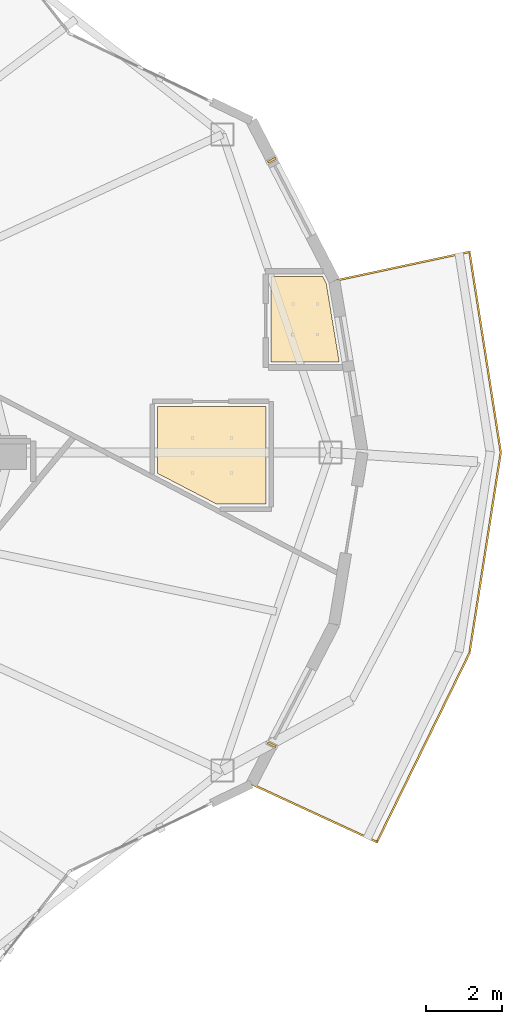
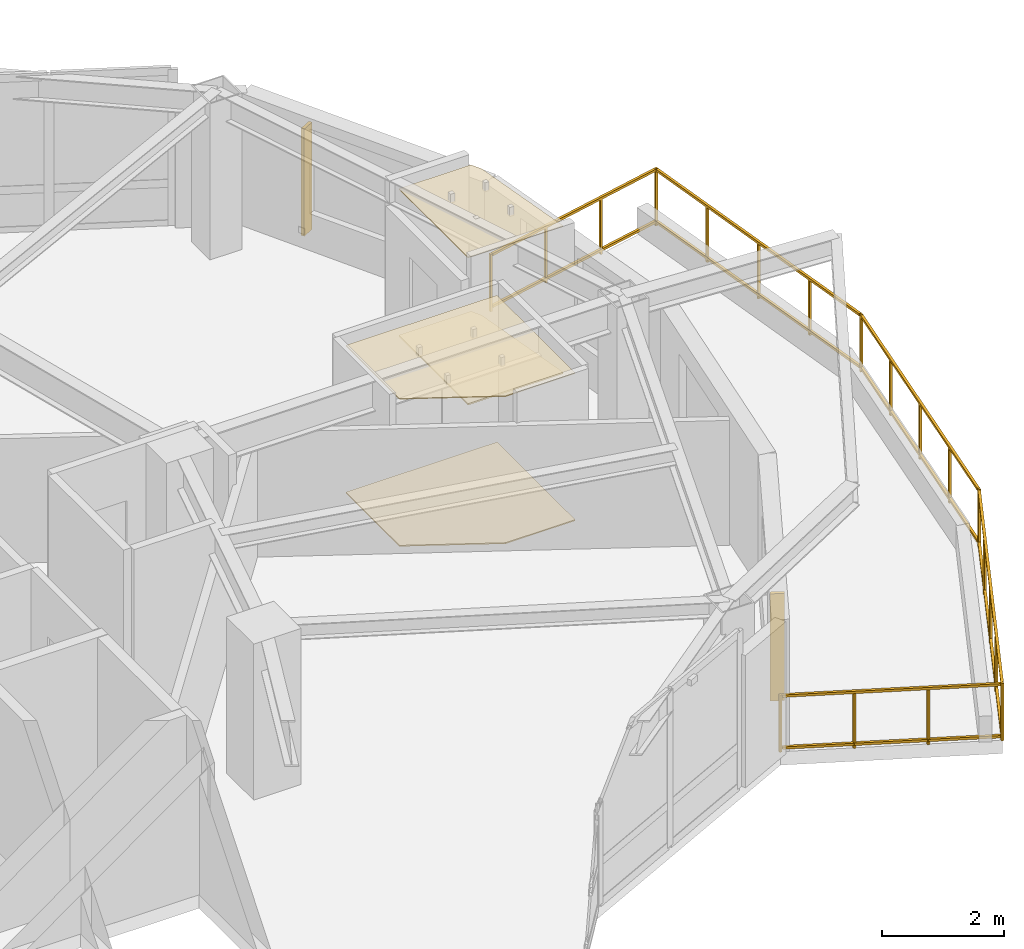
# One storey, part 18 of 19: 4 coverings, 2 shading devices, 1 railing.
"""IFC4 building model written with IfcOpenShell, lengths in metres."""

from ifc_helpers import new_model, si_unit, direction, frame, origin, origin_2d, place, context, subcontext, project, spatial, polyline, rectangle, outline, extrude, material, layer, layer_set, type_object, element, save


model = new_model("IFC4")

# Units and contexts
model_context = context("Model", 3, precision=1e-05, world=origin(), true_north=direction((0.0, 1.0)))
body_context = subcontext(model_context, "Body", "Model", "MODEL_VIEW")
ifc_project = project(units=[si_unit("LENGTHUNIT", "METRE"), si_unit("AREAUNIT", "SQUARE_METRE"), si_unit("VOLUMEUNIT", "CUBIC_METRE"), si_unit("PLANEANGLEUNIT", "RADIAN"), si_unit("MASSUNIT", "GRAM", prefix="KILO")], contexts=[model_context])

# Site, building, storey
site_placement = place(None, origin())
site = spatial("IfcSite", under=ifc_project, at=site_placement, CompositionType="ELEMENT")
building_placement = place(site_placement, origin())
building = spatial("IfcBuilding", under=site, at=building_placement, Name="Kolvaren Gate Tower and Convention Centre", CompositionType="ELEMENT")
storey_placement = place(building_placement, frame((0.0, 0.0, 169.89990234375)))
storey = spatial("IfcBuildingStorey", under=building, at=storey_placement, Name="L44", CompositionType="ELEMENT", Elevation=169.89990234375)

# Coverings
ifc_material_1 = material(Name="Perforated Mineral-Fibre Acoustic Ceiling Tile 18 mm", Category="gypsum")
ifc_layer_1 = layer(ifc_material_1, 0.01806640625)
ifc_layer_set_1 = layer_set([ifc_layer_1], Name="Perforated Mineral-Fibre Acoustic Ceiling Tile 18 mm")
covering_type_1 = type_object("IfcCoveringType", Name="ARCH-COV-CEIL-18", PredefinedType="CEILING", material=ifc_layer_set_1)
covering_1_placement = place(storey_placement, frame((0.0, 0.0, 2.9501953125)))
element("IfcCovering", 1, at=covering_1_placement, inside=storey, type_object=covering_type_1, Name="Suite Principal Bedroom (HTL-L44-05) Acoustic Suspended Ceiling", PredefinedType="CEILING", context=body_context, shape_type="SweptSolid", body=[
    extrude(outline(polyline([(46.639892578125, 28.2099609375), (49.510009765625, 28.2099609375), (49.510009765625, 25.639892578125), (48.18994140625, 25.639892578125), (46.639892578125, 26.446044921875), (46.639892578125, 28.2099609375)])), origin(), (0.0, 0.0, 1.0), 0.017822265625),
])
covering_2_placement = place(storey_placement, frame((0.0, 0.0, 2.9501953125)))
element("IfcCovering", 2, at=covering_2_placement, inside=storey, type_object=covering_type_1, Name="En-suite Bathroom (HTL-L44-05) Acoustic Suspended Ceiling", PredefinedType="CEILING", context=body_context, shape_type="SweptSolid", body=[
    extrude(outline(polyline([(49.639892578125, 29.389892578125), (49.639892578125, 31.659912109375), (51.006103515625, 31.659912109375), (51.10302734375, 31.471923828125), (51.446044921875, 29.389892578125), (49.639892578125, 29.389892578125)])), origin(), (0.0, 0.0, 1.0), 0.017822265625),
])
ifc_material_2 = material(Name="Honed Sabana Limestone Terrazzo Flooring 30 mm", Category="masonry")
ifc_layer_2 = layer(ifc_material_2, 0.030029296875)
ifc_layer_set_2 = layer_set([ifc_layer_2], Name="Honed Sabana Limestone Terrazzo Flooring 30 mm")
covering_type_2 = type_object("IfcCoveringType", Name="ARCH-COV-FLR-30", PredefinedType="FLOORING", material=ifc_layer_set_2)
covering_3_placement = place(storey_placement, origin())
element("IfcCovering", 3, at=covering_3_placement, inside=storey, type_object=covering_type_2, Name="En-suite Bathroom (HTL-L44-05) Interior Finish Flooring", PredefinedType="FLOORING", context=body_context, shape_type="SweptSolid", body=[
    extrude(outline(polyline([(49.639892578125, 29.389892578125), (49.639892578125, 31.659912109375), (51.006103515625, 31.659912109375), (51.10302734375, 31.471923828125), (51.446044921875, 29.389892578125), (49.639892578125, 29.389892578125)])), origin(), (0.0, 0.0, 1.0), 0.030029296875),
])
ifc_material_3 = material(Name="FSC Andean Oak Engineered Parquet Flooring 22 mm", Category="wood")
ifc_layer_3 = layer(ifc_material_3, 0.02197265625)
ifc_layer_set_3 = layer_set([ifc_layer_3], Name="FSC Andean Oak Engineered Parquet Flooring 22 mm")
covering_type_3 = type_object("IfcCoveringType", Name="ARCH-COV-WOOD-22", PredefinedType="FLOORING", material=ifc_layer_set_3)
covering_4_placement = place(storey_placement, origin())
element("IfcCovering", 4, at=covering_4_placement, inside=storey, type_object=covering_type_3, Name="Suite Principal Bedroom (HTL-L44-05) Interior Finish Flooring", PredefinedType="FLOORING", context=body_context, shape_type="SweptSolid", body=[
    extrude(outline(polyline([(46.639892578125, 28.2099609375), (49.510009765625, 28.2099609375), (49.510009765625, 25.639892578125), (48.18994140625, 25.639892578125), (46.639892578125, 26.446044921875), (46.639892578125, 28.2099609375)])), origin(), (0.0, 0.0, 1.0), 0.022216796875),
])

# Railing
ifc_material_4 = material(Name="Brushed Stainless Steel Grade 316L", Category="steel")
railing_type = type_object("IfcRailingType", Name="ARCH-RL-GUARD-1150", PredefinedType="GUARDRAIL", material=ifc_material_4)
railing_placement = place(storey_placement, frame((49.123291015625, 18.22509765625, 0.0)))
element("IfcRailing", 5, at=railing_placement, inside=storey, type_object=railing_type, Name="Tower L44 Terrace Perimeter Guardrail GR-4", PredefinedType="GUARDRAIL", context=body_context, shape_type="SweptSolid", body=[
    extrude(rectangle(XDim=0.048095703125, YDim=0.048095703125, at=origin_2d()), frame((0.025390625, -0.01171875, 1.1259765625), z_axis=(0.907820723829, -0.419358478377, 0.0), x_axis=(0.419358478377, 0.907820723829, 0.0)), (0.0, 0.0, 1.0), 3.60400390625),
    extrude(rectangle(XDim=0.048095703125, YDim=0.048095703125, at=origin_2d()), frame((0.025390625, -0.01171875, 0.083984375), z_axis=(0.907820723829, -0.419358478377, 0.0), x_axis=(0.419358478377, 0.907820723829, 0.0)), (0.0, 0.0, 1.0), 3.60400390625),
    extrude(rectangle(XDim=0.048095703125, YDim=0.048095703125, at=origin_2d()), frame((3.335205078125, -1.509765625, 1.1259765625), z_axis=(0.439655234701, 0.898166618507, 0.0), x_axis=(-0.898166618507, 0.439655234701, 0.0)), (0.0, 0.0, 1.0), 5.51123046875),
    extrude(rectangle(XDim=0.048095703125, YDim=0.048095703125, at=origin_2d()), frame((3.335205078125, -1.509765625, 0.083984375), z_axis=(0.439655234701, 0.898166618507, 0.0), x_axis=(-0.898166618507, 0.439655234701, 0.0)), (0.0, 0.0, 1.0), 5.51123046875),
    extrude(rectangle(XDim=0.048095703125, YDim=0.048095703125, at=origin_2d()), frame((5.77490234375, 3.493408203125, 1.1259765625), z_axis=(0.154200861408, 0.988039520637, 0.0), x_axis=(-0.988039520637, 0.154200861408, 0.0)), (0.0, 0.0, 1.0), 5.3173828125),
    extrude(rectangle(XDim=0.048095703125, YDim=0.048095703125, at=origin_2d()), frame((5.77490234375, 3.493408203125, 0.083984375), z_axis=(0.154200861408, 0.988039520637, 0.0), x_axis=(-0.988039520637, 0.154200861408, 0.0)), (0.0, 0.0, 1.0), 5.3173828125),
    extrude(rectangle(XDim=0.048095703125, YDim=0.048095703125, at=origin_2d()), frame((6.5947265625, 8.802734375, 1.1259765625), z_axis=(-0.154200861408, 0.988039520637, 0.0), x_axis=(-0.988039520637, -0.154200861408, 0.0)), (0.0, 0.0, 1.0), 5.3173828125),
    extrude(rectangle(XDim=0.048095703125, YDim=0.048095703125, at=origin_2d()), frame((6.5947265625, 8.802734375, 0.083984375), z_axis=(-0.154200861408, 0.988039520637, 0.0), x_axis=(-0.988039520637, -0.154200861408, 0.0)), (0.0, 0.0, 1.0), 5.3173828125),
    extrude(rectangle(XDim=0.048095703125, YDim=0.048095703125, at=origin_2d()), frame((5.7431640625, 14.078369140625, 1.1259765625), z_axis=(-0.977791675321, -0.209579196661, 0.0), x_axis=(0.209579196661, -0.977791675321, 0.0)), (0.0, 0.0, 1.0), 3.60400390625),
    extrude(rectangle(XDim=0.048095703125, YDim=0.048095703125, at=origin_2d()), frame((5.7431640625, 14.078369140625, 0.083984375), z_axis=(-0.977791675321, -0.209579196661, 0.0), x_axis=(0.209579196661, -0.977791675321, 0.0)), (0.0, 0.0, 1.0), 3.60400390625),
    extrude(rectangle(XDim=0.0419921875, YDim=0.0419921875, at=origin_2d()), origin(), (0.0, 0.0, 1.0), 1.14990234375),
    extrude(rectangle(XDim=0.0419921875, YDim=0.0419921875, at=origin_2d()), frame((3.32275390625, -1.534912109375, 0.0)), (0.0, 0.0, 1.0), 1.14990234375),
    extrude(rectangle(XDim=0.0419921875, YDim=0.0419921875, at=origin_2d()), frame((1.107666015625, -0.51171875, 0.0)), (0.0, 0.0, 1.0), 1.099853515625),
    extrude(rectangle(XDim=0.0419921875, YDim=0.0419921875, at=origin_2d()), frame((2.215087890625, -1.023193359375, 0.0)), (0.0, 0.0, 1.0), 1.099853515625),
    extrude(rectangle(XDim=0.0419921875, YDim=0.0419921875, at=origin_2d()), frame((5.7705078125, 3.465576171875, 0.0)), (0.0, 0.0, 1.0), 1.14990234375),
    extrude(rectangle(XDim=0.0419921875, YDim=0.0419921875, at=origin_2d()), frame((3.9345703125, -0.28466796875, 0.0)), (0.0, 0.0, 1.0), 1.099853515625),
    extrude(rectangle(XDim=0.0419921875, YDim=0.0419921875, at=origin_2d()), frame((4.546630859375, 0.96533203125, 0.0)), (0.0, 0.0, 1.0), 1.099853515625),
    extrude(rectangle(XDim=0.0419921875, YDim=0.0419921875, at=origin_2d()), frame((5.15869140625, 2.21533203125, 0.0)), (0.0, 0.0, 1.0), 1.099853515625),
    extrude(rectangle(XDim=0.0419921875, YDim=0.0419921875, at=origin_2d()), frame((6.59912109375, 8.77490234375, 0.0)), (0.0, 0.0, 1.0), 1.14990234375),
    extrude(rectangle(XDim=0.0419921875, YDim=0.0419921875, at=origin_2d()), frame((5.9775390625, 4.79296875, 0.0)), (0.0, 0.0, 1.0), 1.099853515625),
    extrude(rectangle(XDim=0.0419921875, YDim=0.0419921875, at=origin_2d()), frame((6.184814453125, 6.1201171875, 0.0)), (0.0, 0.0, 1.0), 1.099853515625),
    extrude(rectangle(XDim=0.0419921875, YDim=0.0419921875, at=origin_2d()), frame((6.39208984375, 7.447509765625, 0.0)), (0.0, 0.0, 1.0), 1.099853515625),
    extrude(rectangle(XDim=0.0419921875, YDim=0.0419921875, at=origin_2d()), frame((5.7705078125, 14.084228515625, 0.0)), (0.0, 0.0, 1.0), 1.14990234375),
    extrude(rectangle(XDim=0.0419921875, YDim=0.0419921875, at=origin_2d()), frame((6.39208984375, 10.102294921875, 0.0)), (0.0, 0.0, 1.0), 1.099853515625),
    extrude(rectangle(XDim=0.0419921875, YDim=0.0419921875, at=origin_2d()), frame((6.184814453125, 11.4296875, 0.0)), (0.0, 0.0, 1.0), 1.099853515625),
    extrude(rectangle(XDim=0.0419921875, YDim=0.0419921875, at=origin_2d()), frame((5.9775390625, 12.7568359375, 0.0)), (0.0, 0.0, 1.0), 1.099853515625),
    extrude(rectangle(XDim=0.0419921875, YDim=0.0419921875, at=origin_2d()), frame((2.191650390625, 13.317138671875, 0.0)), (0.0, 0.0, 1.0), 1.14990234375),
    extrude(rectangle(XDim=0.0419921875, YDim=0.0419921875, at=origin_2d()), frame((4.57763671875, 13.82861328125, 0.0)), (0.0, 0.0, 1.0), 1.099853515625),
    extrude(rectangle(XDim=0.0419921875, YDim=0.0419921875, at=origin_2d()), frame((3.384521484375, 13.57275390625, 0.0)), (0.0, 0.0, 1.0), 1.099853515625),
])

# Shading devices
ifc_material_5 = material(Name="Kiln-Fired Bogota Terracotta Ceramic Louvre Profile", Category="masonry")
shading_device_type = type_object("IfcShadingDeviceType", Name="ARCH-SHD-FIN-180", PredefinedType="JALOUSIE", material=ifc_material_5)
for number, where, z_axis, x_axis, name in (
    (6, (49.66259765625, 34.7333984375, 0.22021484375), (0.0, 0.0, 1.0), (0.459798409467, -0.888023323259, 0.0), "Ceramic Vertical Brise-Soleil Fin FN-L44-01"),
    (7, (49.66259765625, 19.2666015625, 0.22021484375), (0.0, 0.0, 1.0), (0.459798409467, 0.888023323259, 0.0), "Ceramic Vertical Brise-Soleil Fin FN-L44-22"),
):
    element("IfcShadingDevice", number, at=place(storey_placement, frame(where, z_axis=z_axis, x_axis=x_axis)), inside=storey, type_object=shading_device_type, Name=name, PredefinedType="JALOUSIE", context=body_context, shape_type="SweptSolid", body=[
        extrude(rectangle(XDim=0.06005859375, YDim=0.239990234375, at=origin_2d()), origin(), (0.0, 0.0, 1.0), 2.14990234375),
    ])

save(model, "model.ifc")
